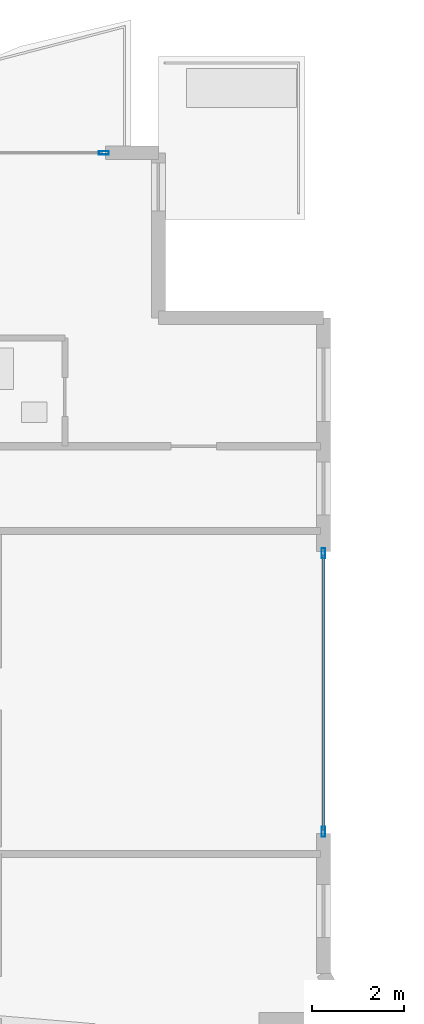
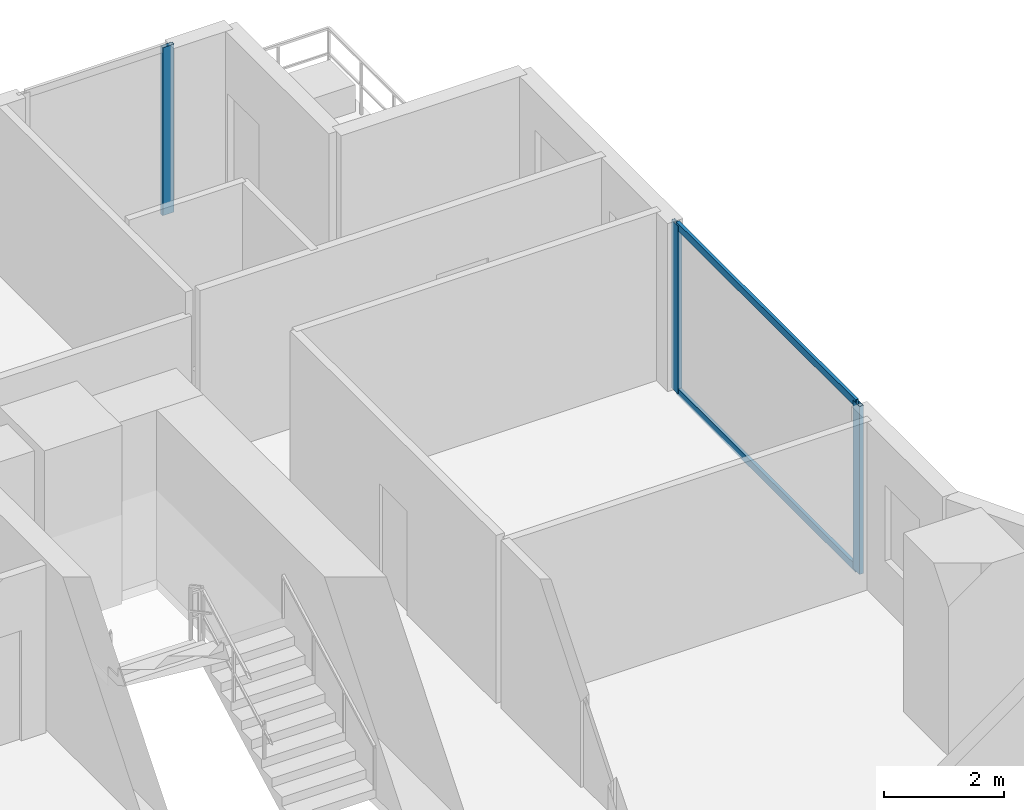
# One storey, part 17 of 28: 5 members, 2 elements without a shape of their own.
"""IFC4 building model written with IfcOpenShell, lengths in metres."""

from ifc_helpers import new_model, si_unit, direction, frame, origin, origin_2d, place, context, subcontext, project, spatial, hollow_rectangle, extrude, material, layer, layer_set, material_profile, profile_set, type_object, element, aggregate, save


model = new_model("IFC4")

# Units and contexts
model_context = context("Model", 3, precision=1e-05, world=origin(), true_north=direction((0.0, 1.0)))
body_context = subcontext(model_context, "Body", "Model", "MODEL_VIEW")
ifc_project = project(units=[si_unit("LENGTHUNIT", "METRE"), si_unit("AREAUNIT", "SQUARE_METRE"), si_unit("VOLUMEUNIT", "CUBIC_METRE"), si_unit("PLANEANGLEUNIT", "RADIAN"), si_unit("MASSUNIT", "GRAM", prefix="KILO")], contexts=[model_context])

# Site, building, storey
site_placement = place(None, origin())
site = spatial("IfcSite", under=ifc_project, at=site_placement, CompositionType="ELEMENT")
building_placement = place(site_placement, origin())
building = spatial("IfcBuilding", under=site, at=building_placement, Name="Zuhayl Quay Hotel", CompositionType="ELEMENT")
storey_placement = place(building_placement, frame((0.0, 0.0, 56.800048828125)))
storey = spatial("IfcBuildingStorey", under=building, at=storey_placement, Name="L13", CompositionType="ELEMENT", Elevation=56.800048828125)

# Curtain wall, member
ifc_material_1 = material(Name="Anodised Aluminium 6063-T6", Category="aluminium")
ifc_layer = layer(ifc_material_1, 0.18994140625, Name="Anodised Aluminium 6063-T6", Category="aluminium")
ifc_layer_set = layer_set([ifc_layer], Name="Anodised Aluminium 6063-T6")
curtain_wall_type = type_object("IfcCurtainWallType", Name="CW_SYS_Z1", PredefinedType="USERDEFINED", material=ifc_layer_set)
curtain_wall_1_placement = place(storey_placement, origin())
curtain_wall_1 = element("IfcCurtainWall", 1, at=curtain_wall_1_placement, inside=storey, type_object=curtain_wall_type, Name="L13 Curtain Wall ENV_L13_N_CW6", ObjectType="UNITISED CURTAIN WALL", PredefinedType="USERDEFINED")
ifc_material_2 = material(Name="Black-anodised aluminium 6063-T6", Category="aluminium")
ifc_material_profile_1 = material_profile(ifc_material_2, hollow_rectangle(XDim=0.074951171875, YDim=0.219970703125, WallThickness=0.00390625, at=origin_2d()), Name="ALU220X75")
ifc_profile_set_1 = profile_set([ifc_material_profile_1], Name="Black-anodised aluminium 6063-T6")
member_type_1 = type_object("IfcMemberType", Name="MB_CW_MUL_220", PredefinedType="MULLION", material=ifc_profile_set_1)
member_1_placement = place(storey_placement, frame((20.91259765625, 23.10009765625, 0.0), z_axis=(0.0, 0.0, 1.0), x_axis=(0.0, 1.0, 0.0)))
member_1 = element("IfcMember", 2, at=member_1_placement, type_object=member_type_1, Name="CW-Z1 mullion 2", PredefinedType="MULLION", context=body_context, shape_type="SweptSolid", body=[
    extrude(hollow_rectangle(XDim=0.074951171875, YDim=0.219970703125, WallThickness=0.00390625, at=origin_2d()), origin(), (0.0, 0.0, 1.0), 3.429931640625),
])
aggregate(curtain_wall_1, [member_1])

# Curtain wall, members
curtain_wall_2_placement = place(storey_placement, origin())
curtain_wall_2 = element("IfcCurtainWall", 3, at=curtain_wall_2_placement, inside=storey, type_object=curtain_wall_type, Name="L13 Curtain Wall ENV_L13_E11_CW1", ObjectType="UNITISED CURTAIN WALL", PredefinedType="USERDEFINED")
member_2_placement = place(storey_placement, frame((25.699951171875, 14.362548828125, 0.0), z_axis=(0.0, 0.0, 1.0), x_axis=(1.0, 0.0, 0.0)))
member_2 = element("IfcMember", 4, at=member_2_placement, type_object=member_type_1, Name="CW-Z1 mullion 1", PredefinedType="MULLION", context=body_context, shape_type="SweptSolid", body=[
    extrude(hollow_rectangle(XDim=0.074951171875, YDim=0.219970703125, WallThickness=0.00390625, at=origin_2d()), origin(), (0.0, 0.0, 1.0), 3.429931640625),
])
member_3_placement = place(storey_placement, frame((25.699951171875, 8.28759765625, 0.0), z_axis=(0.0, 0.0, 1.0), x_axis=(1.0, 0.0, 0.0)))
member_3 = element("IfcMember", 5, at=member_3_placement, type_object=member_type_1, Name="CW-Z1 mullion 2", PredefinedType="MULLION", context=body_context, shape_type="SweptSolid", body=[
    extrude(hollow_rectangle(XDim=0.074951171875, YDim=0.219970703125, WallThickness=0.00390625, at=origin_2d()), origin(), (0.0, 0.0, 1.0), 3.429931640625),
])
ifc_material_profile_2 = material_profile(ifc_material_2, hollow_rectangle(XDim=0.06005859375, YDim=0.14990234375, WallThickness=0.00341796875, at=origin_2d()), Name="ALU150X60")
ifc_profile_set_2 = profile_set([ifc_material_profile_2], Name="Black-anodised aluminium 6063-T6")
member_type_2 = type_object("IfcMemberType", Name="MB_CW_TRN_150", PredefinedType="USERDEFINED", material=ifc_profile_set_2)
member_4_placement = place(storey_placement, frame((25.699951171875, 14.324951171875, 0.030029296875), z_axis=(0.0, -1.0, 0.0), x_axis=(1.0, 0.0, 0.0)))
member_4 = element("IfcMember", 6, at=member_4_placement, type_object=member_type_2, Name="CW-Z1 transom 1.1", ObjectType="TRANSOM", PredefinedType="USERDEFINED", context=body_context, shape_type="SweptSolid", body=[
    extrude(hollow_rectangle(XDim=0.06005859375, YDim=0.14990234375, WallThickness=0.00341796875, at=origin_2d()), origin(), (0.0, 0.0, 1.0), 6.0),
])
member_5_placement = place(storey_placement, frame((25.699951171875, 14.324951171875, 3.39990234375), z_axis=(0.0, -1.0, 0.0), x_axis=(1.0, 0.0, 0.0)))
member_5 = element("IfcMember", 7, at=member_5_placement, type_object=member_type_2, Name="CW-Z1 transom 1.2", ObjectType="TRANSOM", PredefinedType="USERDEFINED", context=body_context, shape_type="SweptSolid", body=[
    extrude(hollow_rectangle(XDim=0.06005859375, YDim=0.14990234375, WallThickness=0.00341796875, at=origin_2d()), origin(), (0.0, 0.0, 1.0), 6.0),
])
aggregate(curtain_wall_2, [member_2, member_3, member_4, member_5])

save(model, "model.ifc")
